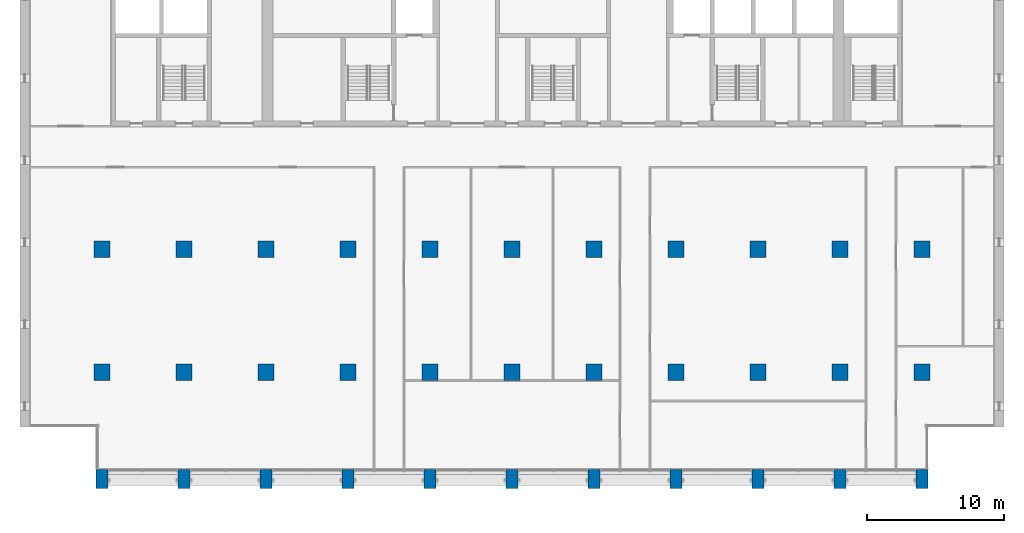
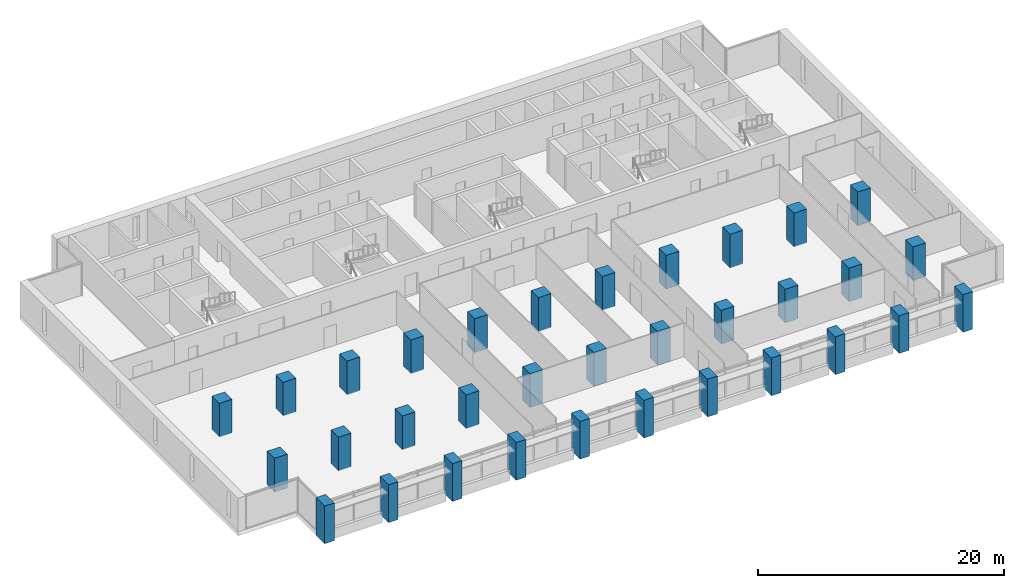
# One storey, part 1 of 15: 33 columns.
"""IFC4 building model written with IfcOpenShell, lengths in metres."""

from ifc_helpers import new_model, si_unit, direction, frame, origin, origin_2d, place, context, subcontext, project, spatial, rectangle, extrude, material, material_profile, profile_set, type_object, element, save


model = new_model("IFC4")

# Units and contexts
model_context = context("Model", 3, precision=1e-05, world=origin(), true_north=direction((0.0, 1.0)))
body_context = subcontext(model_context, "Body", "Model", "MODEL_VIEW")
ifc_project = project(units=[si_unit("LENGTHUNIT", "METRE"), si_unit("AREAUNIT", "SQUARE_METRE"), si_unit("VOLUMEUNIT", "CUBIC_METRE"), si_unit("PLANEANGLEUNIT", "RADIAN"), si_unit("MASSUNIT", "GRAM", prefix="KILO")], contexts=[model_context])

# Site, building, storey
site_placement = place(None, origin())
site = spatial("IfcSite", under=ifc_project, at=site_placement, CompositionType="ELEMENT")
building_placement = place(site_placement, origin())
building = spatial("IfcBuilding", under=site, at=building_placement, Name="Calvaro Tower", CompositionType="ELEMENT")
storey_placement = place(building_placement, frame((0.0, 0.0, 151.25)))
storey = spatial("IfcBuildingStorey", under=building, at=storey_placement, Name="L38", CompositionType="ELEMENT", Elevation=151.25)

# Columns
ifc_material_1 = material(Name="Concrete C60/75", Category="concrete")
ifc_material_profile_1 = material_profile(ifc_material_1, rectangle(XDim=1.199951171875, YDim=1.199951171875, at=origin_2d()), Name="RC 1200x1200")
ifc_profile_set_1 = profile_set([ifc_material_profile_1], Name="Concrete C60/75")
column_type_1 = type_object("IfcColumnType", Name="Column 1200x1200 C60/75", PredefinedType="COLUMN", material=ifc_profile_set_1)
for number, where, z_axis, x_axis, name in (
    (1, (6.0, 10.0, 0.0), (0.0, 0.0, 1.0), (1.0, 0.0, 0.0), "Column 2B"),
    (2, (6.0, 19.0, 0.0), (0.0, 0.0, 1.0), (1.0, 0.0, 0.0), "Column 2C"),
    (3, (12.0, 10.0, 0.0), (0.0, 0.0, 1.0), (1.0, 0.0, 0.0), "Column 3B"),
    (4, (12.0, 19.0, 0.0), (0.0, 0.0, 1.0), (1.0, 0.0, 0.0), "Column 3C"),
    (5, (18.0, 10.0, 0.0), (0.0, 0.0, 1.0), (1.0, 0.0, 0.0), "Column 4B"),
    (6, (18.0, 19.0, 0.0), (0.0, 0.0, 1.0), (1.0, 0.0, 0.0), "Column 4C"),
    (7, (24.0, 10.0, 0.0), (0.0, 0.0, 1.0), (1.0, 0.0, 0.0), "Column 5B"),
    (8, (24.0, 19.0, 0.0), (0.0, 0.0, 1.0), (1.0, 0.0, 0.0), "Column 5C"),
    (9, (30.0, 10.0, 0.0), (0.0, 0.0, 1.0), (1.0, 0.0, 0.0), "Column 6B"),
    (10, (30.0, 19.0, 0.0), (0.0, 0.0, 1.0), (1.0, 0.0, 0.0), "Column 6C"),
    (11, (36.0, 10.0, 0.0), (0.0, 0.0, 1.0), (1.0, 0.0, 0.0), "Column 7B"),
    (12, (36.0, 19.0, 0.0), (0.0, 0.0, 1.0), (1.0, 0.0, 0.0), "Column 7C"),
    (13, (42.0, 10.0, 0.0), (0.0, 0.0, 1.0), (1.0, 0.0, 0.0), "Column 8B"),
    (14, (42.0, 19.0, 0.0), (0.0, 0.0, 1.0), (1.0, 0.0, 0.0), "Column 8C"),
    (15, (48.0, 10.0, 0.0), (0.0, 0.0, 1.0), (1.0, 0.0, 0.0), "Column 9B"),
    (16, (48.0, 19.0, 0.0), (0.0, 0.0, 1.0), (1.0, 0.0, 0.0), "Column 9C"),
    (17, (54.0, 10.0, 0.0), (0.0, 0.0, 1.0), (1.0, 0.0, 0.0), "Column 10B"),
    (18, (54.0, 19.0, 0.0), (0.0, 0.0, 1.0), (1.0, 0.0, 0.0), "Column 10C"),
    (19, (60.0, 10.0, 0.0), (0.0, 0.0, 1.0), (1.0, 0.0, 0.0), "Column 11B"),
    (20, (60.0, 19.0, 0.0), (0.0, 0.0, 1.0), (1.0, 0.0, 0.0), "Column 11C"),
    (21, (66.0, 10.0, 0.0), (0.0, 0.0, 1.0), (1.0, 0.0, 0.0), "Column 12B"),
    (22, (66.0, 19.0, 0.0), (0.0, 0.0, 1.0), (1.0, 0.0, 0.0), "Column 12C"),
):
    element("IfcColumn", number, at=place(storey_placement, frame(where, z_axis=z_axis, x_axis=x_axis)), inside=storey, type_object=column_type_1, Name=name, PredefinedType="COLUMN", context=body_context, shape_type="SweptSolid", body=[
        extrude(rectangle(XDim=1.199951171875, YDim=1.199951171875, at=origin_2d()), origin(), (0.0, 0.0, 1.0), 3.35009765625),
    ])
ifc_material_2 = material(Name="Concrete C60/75", Category="concrete")
ifc_material_profile_2 = material_profile(ifc_material_2, rectangle(XDim=0.89990234375, YDim=1.39990234375, at=origin_2d()), Name="RC 900x1400")
ifc_profile_set_2 = profile_set([ifc_material_profile_2], Name="Concrete C60/75")
column_type_2 = type_object("IfcColumnType", Name="Pier 900x1400 C60/75", PredefinedType="COLUMN", material=ifc_profile_set_2)
for number, where, z_axis, x_axis, name in (
    (23, (6.0, 2.199951171875, -0.39990234375), (0.0, 0.0, 1.0), (1.0, 0.0, 0.0), "South pier 2"),
    (24, (12.0, 2.199951171875, -0.39990234375), (0.0, 0.0, 1.0), (1.0, 0.0, 0.0), "South pier 3"),
    (25, (18.0, 2.199951171875, -0.39990234375), (0.0, 0.0, 1.0), (1.0, 0.0, 0.0), "South pier 4"),
    (26, (24.0, 2.199951171875, -0.39990234375), (0.0, 0.0, 1.0), (1.0, 0.0, 0.0), "South pier 5"),
    (27, (30.0, 2.199951171875, -0.39990234375), (0.0, 0.0, 1.0), (1.0, 0.0, 0.0), "South pier 6"),
    (28, (36.0, 2.199951171875, -0.39990234375), (0.0, 0.0, 1.0), (1.0, 0.0, 0.0), "South pier 7"),
    (29, (42.0, 2.199951171875, -0.39990234375), (0.0, 0.0, 1.0), (1.0, 0.0, 0.0), "South pier 8"),
    (30, (48.0, 2.199951171875, -0.39990234375), (0.0, 0.0, 1.0), (1.0, 0.0, 0.0), "South pier 9"),
    (31, (54.0, 2.199951171875, -0.39990234375), (0.0, 0.0, 1.0), (1.0, 0.0, 0.0), "South pier 10"),
    (32, (60.0, 2.199951171875, -0.39990234375), (0.0, 0.0, 1.0), (1.0, 0.0, 0.0), "South pier 11"),
    (33, (66.0, 2.199951171875, -0.39990234375), (0.0, 0.0, 1.0), (1.0, 0.0, 0.0), "South pier 12"),
):
    element("IfcColumn", number, at=place(storey_placement, frame(where, z_axis=z_axis, x_axis=x_axis)), inside=storey, type_object=column_type_2, Name=name, PredefinedType="COLUMN", context=body_context, shape_type="SweptSolid", body=[
        extrude(rectangle(XDim=0.89990234375, YDim=1.39990234375, at=origin_2d()), origin(), (0.0, 0.0, 1.0), 3.75),
    ])

save(model, "model.ifc")
